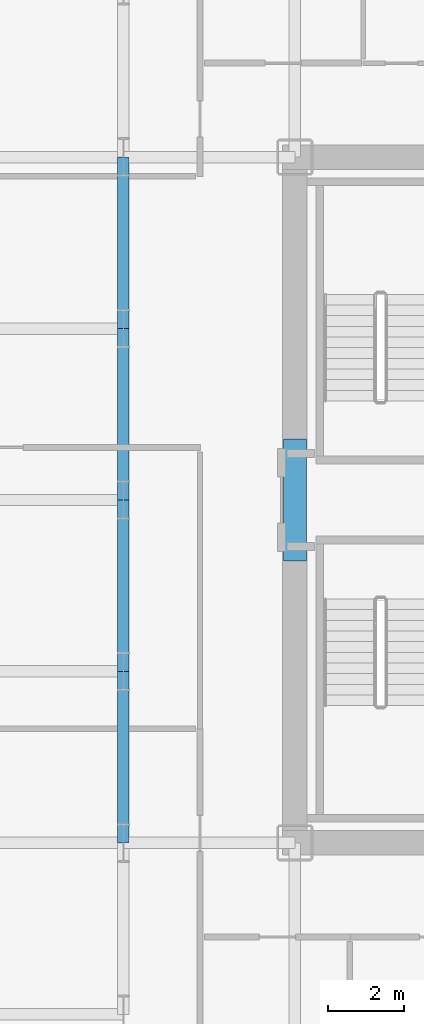
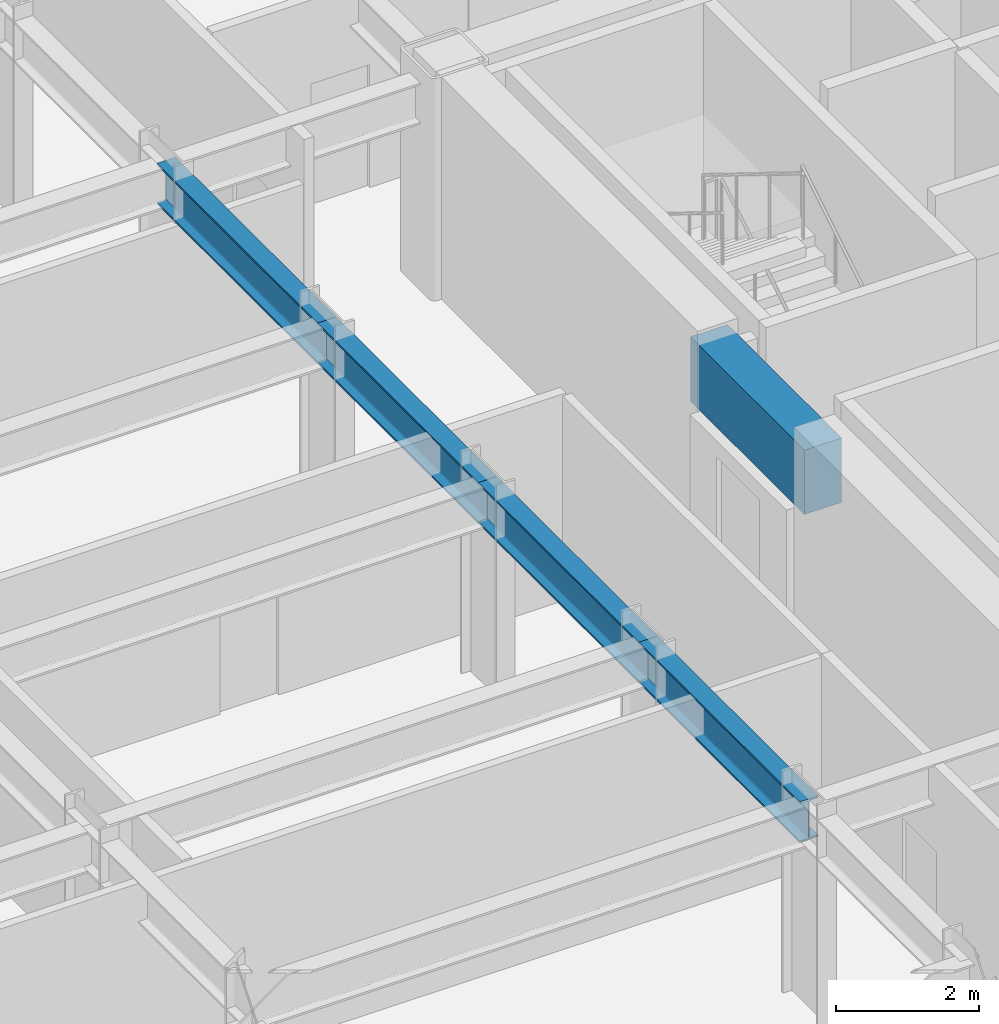
# One storey, part 7 of 29: 5 beams.
"""IFC4 building model written with IfcOpenShell, lengths in metres."""

from ifc_helpers import new_model, si_unit, direction, frame, origin, origin_2d, place, context, subcontext, project, spatial, rectangle, i_section, extrude, source, transform, mapped, material, material_profile, profile_set, type_object, element, save


model = new_model("IFC4")

# Units and contexts
model_context = context("Model", 3, precision=1e-05, world=origin(), true_north=direction((0.0, 1.0)))
body_context = subcontext(model_context, "Body", "Model", "MODEL_VIEW")
ifc_project = project(units=[si_unit("LENGTHUNIT", "METRE"), si_unit("AREAUNIT", "SQUARE_METRE"), si_unit("VOLUMEUNIT", "CUBIC_METRE"), si_unit("PLANEANGLEUNIT", "RADIAN"), si_unit("MASSUNIT", "GRAM", prefix="KILO")], contexts=[model_context])

# Site, building, storey
site_placement = place(None, origin())
site = spatial("IfcSite", under=ifc_project, at=site_placement, CompositionType="ELEMENT")
building_placement = place(site_placement, origin())
building = spatial("IfcBuilding", under=site, at=building_placement, Name="Nefas-Gora Pilgrimage Tower", CompositionType="ELEMENT")
storey_placement = place(building_placement, frame((0.0, 0.0, 55.800048828125)))
storey = spatial("IfcBuildingStorey", under=building, at=storey_placement, Name="L12", CompositionType="ELEMENT", Elevation=55.800048828125)

# Beams
ifc_material_1 = material(Name="Concrete C60/75", Category="concrete")
ifc_material_profile_1 = material_profile(ifc_material_1, rectangle(XDim=0.60009765625, YDim=1.10009765625, at=origin_2d()), Name="RC 600x1100")
ifc_profile_set_1 = profile_set([ifc_material_profile_1], Name="Concrete C60/75")
beam_type_1 = type_object("IfcBeamType", Name="BM-LIN-RC1100", PredefinedType="LINTEL", material=ifc_profile_set_1)
shared_shape_1 = source(origin(), body_context, "Body", "SweptSolid", [
    extrude(rectangle(XDim=0.60009765625, YDim=1.10009765625, at=origin_2d()), origin(), (0.0, 0.0, 1.0), 3.2001953125),
])
beam_placement = place(storey_placement, frame((-11.25, -1.60009765625, 3.0), z_axis=(0.0, 1.0, 0.0), x_axis=(-1.0, 0.0, 0.0)))
element("IfcBeam", 1, at=beam_placement, inside=storey, type_object=beam_type_1, Name="L12 Core Coupling Lintel Beam W", PredefinedType="LINTEL", context=body_context, shape_type="MappedRepresentation", body=[
    mapped(shared_shape_1, transform((0.0, 0.0, 0.0), x_axis=(1.0, 0.0, 0.0), y_axis=(0.0, 1.0, 0.0), z_axis=(0.0, 0.0, 1.0), scale=1.0)),
])
ifc_material_2 = material(Name="Steel S355", Category="steel")
ifc_material_profile_2 = material_profile(ifc_material_2, i_section(OverallWidth=0.300048828125, OverallDepth=0.699951171875, WebThickness=0.01708984375, FlangeThickness=0.031982421875, FilletRadius=0.027099609375, at=origin_2d()), Name="HEB 700")
ifc_profile_set_2 = profile_set([ifc_material_profile_2], Name="Steel S355")
beam_type_2 = type_object("IfcBeamType", Name="BM-GIR-HEB700", PredefinedType="BEAM", material=ifc_profile_set_2)
shared_shape_2 = source(origin(), body_context, "Body", "SweptSolid", [
    extrude(i_section(OverallWidth=0.300048828125, OverallDepth=0.699951171875, WebThickness=0.01708984375, FlangeThickness=0.031982421875, FilletRadius=0.027099609375, at=origin_2d()), origin(), (0.0, 0.0, 1.0), 4.5),
])
for number, where, z_axis, x_axis, name in (
    (2, (-15.75, -9.0, 3.199951171875), (0.0, 1.0, 0.0), (-1.0, 0.0, 0.0), "L12 G-02 beam"),
    (3, (-15.75, -4.5, 3.199951171875), (0.0, 1.0, 0.0), (-1.0, 0.0, 0.0), "L12 G-02 beam"),
    (4, (-15.75, 0.0, 3.199951171875), (0.0, 1.0, 0.0), (-1.0, 0.0, 0.0), "L12 G-02 beam"),
    (5, (-15.75, 4.5, 3.199951171875), (0.0, 1.0, 0.0), (-1.0, 0.0, 0.0), "L12 G-02 beam"),
):
    element("IfcBeam", number, at=place(storey_placement, frame(where, z_axis=z_axis, x_axis=x_axis)), inside=storey, type_object=beam_type_2, Name=name, PredefinedType="BEAM", context=body_context, shape_type="MappedRepresentation", body=[
        mapped(shared_shape_2, transform((0.0, 0.0, 0.0), x_axis=(1.0, 0.0, 0.0), y_axis=(0.0, 1.0, 0.0), z_axis=(0.0, 0.0, 1.0), scale=1.0)),
    ])

save(model, "model.ifc")
